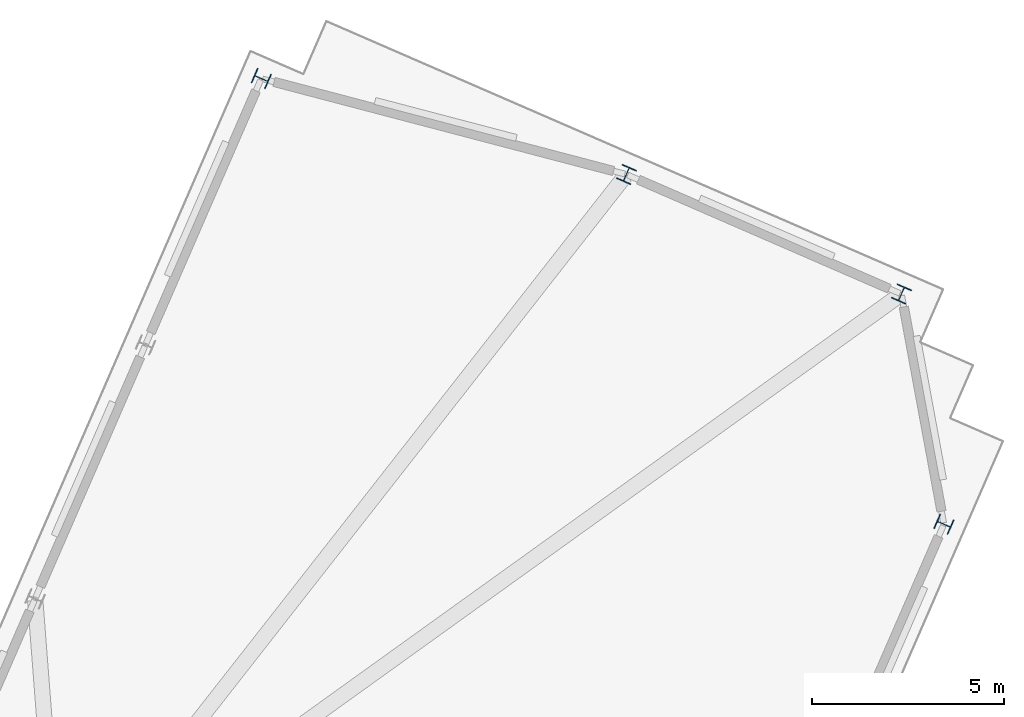
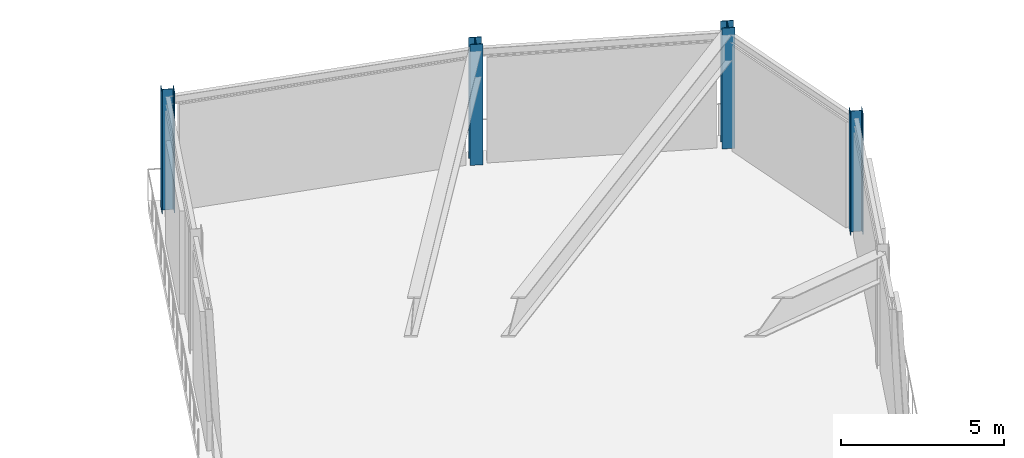
# One storey, part 3 of 7: 4 columns.
"""IFC4 building model written with IfcOpenShell, lengths in metres."""

from ifc_helpers import new_model, si_unit, direction, frame, origin, origin_2d, place, context, subcontext, project, spatial, i_section, extrude, material, material_profile, profile_set, type_object, element, save


model = new_model("IFC4")

# Units and contexts
model_context = context("Model", 3, precision=1e-05, world=origin(), true_north=direction((0.0, 1.0)))
body_context = subcontext(model_context, "Body", "Model", "MODEL_VIEW")
ifc_project = project(units=[si_unit("LENGTHUNIT", "METRE"), si_unit("AREAUNIT", "SQUARE_METRE"), si_unit("VOLUMEUNIT", "CUBIC_METRE"), si_unit("PLANEANGLEUNIT", "RADIAN"), si_unit("MASSUNIT", "GRAM", prefix="KILO")], contexts=[model_context])

# Site, building, storey
site_placement = place(None, origin())
site = spatial("IfcSite", under=ifc_project, at=site_placement, CompositionType="ELEMENT")
building_placement = place(site_placement, origin())
building = spatial("IfcBuilding", under=site, at=building_placement, Name="Gaonmaruhae Medical Tower", CompositionType="ELEMENT")
storey_placement = place(building_placement, frame((0.0, 0.0, 347.800048828125)))
storey = spatial("IfcBuildingStorey", under=building, at=storey_placement, Name="RF", CompositionType="ELEMENT", Elevation=347.800048828125)

# Columns
ifc_material = material(Name="Steel SM420", Category="steel")
ifc_material_profile = material_profile(ifc_material, i_section(OverallWidth=0.39990234375, OverallDepth=0.39990234375, WebThickness=0.012939453125, FlangeThickness=0.02099609375, FilletRadius=0.02197265625, at=origin_2d()), Name="H-400x400x13x21")
ifc_profile_set = profile_set([ifc_material_profile], Name="Steel SM420")
column_type = type_object("IfcColumnType", Name="SC-02 Crown Perimeter Louvred Column (H-400x400x13x21)", PredefinedType="COLUMN", material=ifc_profile_set)
for number, where, z_axis, x_axis, name in (
    (1, (58.630126953125, 26.565673828125, 0.001708984375), (0.0, 0.0, 1.0), (0.398749068925, 0.917060074385, 0.0), "RF Perimeter Tube Column S06"),
    (2, (57.525634765625, 32.552734375, 0.001708984375), (0.0, 0.0, 1.0), (-0.917060074385, 0.398749068925, 0.0), "RF Perimeter Tube Column E01"),
    (3, (50.372802734375, 35.662841796875, 0.001708984375), (0.0, 0.0, 1.0), (-0.917060074385, 0.398749068925, 0.0), "RF Perimeter Tube Column E02"),
    (4, (40.879150390625, 38.155029296875, 0.001708984375), (0.0, 0.0, 1.0), (0.398749068925, 0.917060074385, 0.0), "RF Perimeter Tube Column E03"),
):
    element("IfcColumn", number, at=place(storey_placement, frame(where, z_axis=z_axis, x_axis=x_axis)), inside=storey, type_object=column_type, Name=name, PredefinedType="COLUMN", context=body_context, shape_type="SweptSolid", body=[
        extrude(i_section(OverallWidth=0.39990234375, OverallDepth=0.39990234375, WebThickness=0.012939453125, FlangeThickness=0.02099609375, FilletRadius=0.02197265625, at=origin_2d()), origin(), (0.0, 0.0, 1.0), 4.536376953125),
    ])

save(model, "model.ifc")
